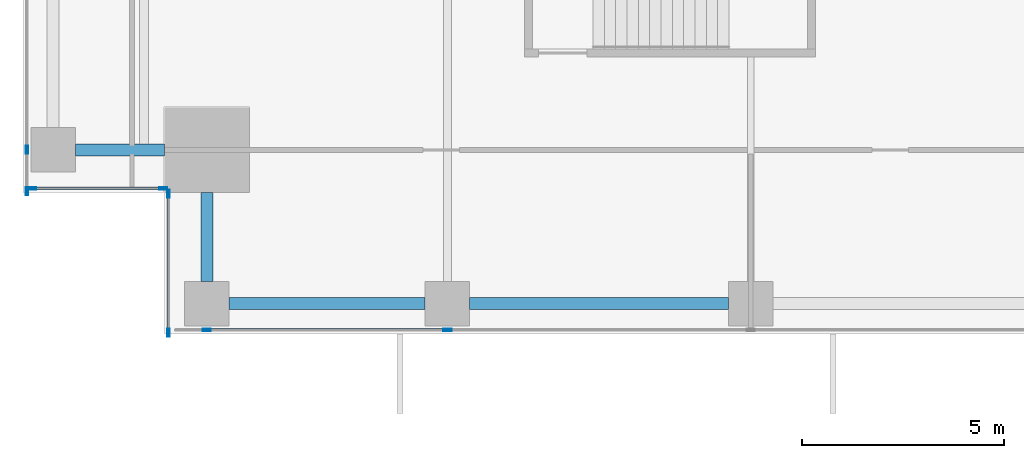
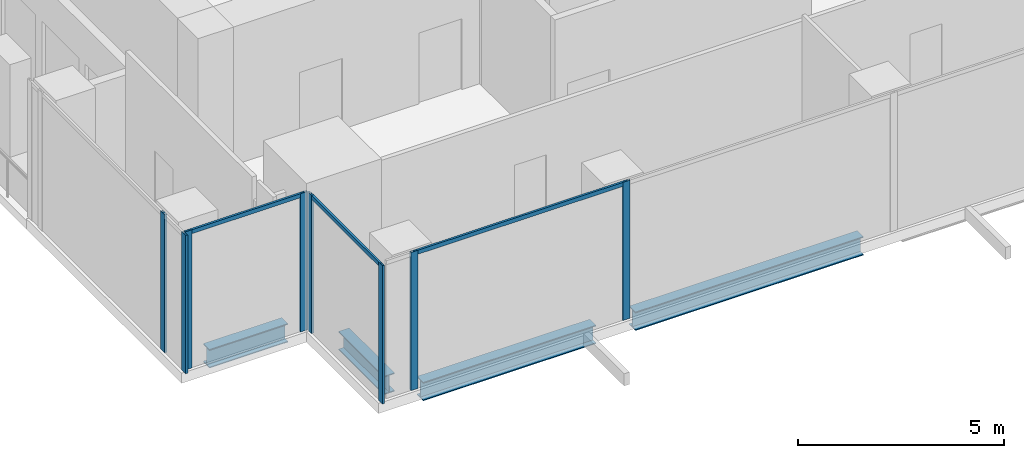
# One storey, part 2 of 34: 11 members, 4 beams, 4 elements without a shape of their own.
"""IFC4 building model written with IfcOpenShell, lengths in metres."""

import ifcopenshell
import ifcopenshell.guid

model = None  # the IFC model being written
_history = None  # IfcOwnerHistory: only IFC2X3 demands one
_inside = {}  # id of a spatial element -> (the spatial element, [elements in it])
_under = {}  # id of a project, library or spatial element -> (it, [spatial elements below it])
_declared = {}  # id of a project -> (the project, [libraries it declares])
_typed = {}  # id of a type object -> (the type object, [elements of that type])
_made_of = {}  # id of a material, layer set ... -> (it, [elements and type objects made of it])


def new_model(schema):
    """Start an empty IFC model of exactly this schema.

    Asked for "IFC4X3", IfcOpenShell would pick the latest addendum, in which some entities
    have other attributes; the version numbers below select the first issue.
    IFC2X3 requires an IfcOwnerHistory on every rooted entity: one is made here for all.
    """
    global model, _history
    if schema == "IFC4X3":
        model = ifcopenshell.file(schema_version=(4, 3, 0, 0))
    else:
        model = ifcopenshell.file(schema=schema)
    _inside.clear()
    _under.clear()
    _declared.clear()
    _typed.clear()
    _made_of.clear()
    _history = None
    if model.schema == "IFC2X3":
        org = make("IfcOrganization", Name="unknown")
        user = make(
            "IfcPersonAndOrganization",
            ThePerson=make("IfcPerson", FamilyName="unknown"),
            TheOrganization=org,
        )
        app = make(
            "IfcApplication",
            ApplicationDeveloper=org,
            Version="unknown",
            ApplicationFullName="unknown",
            ApplicationIdentifier="unknown",
        )
        _history = make(
            "IfcOwnerHistory",
            OwningUser=user,
            OwningApplication=app,
            ChangeAction="ADDED",
            CreationDate=0,
        )
    return model


def make(cls, **values):
    """One entity of the class cls with the attributes given. An attribute that is None is left unset."""
    return model.create_entity(
        cls, **{name: value for name, value in values.items() if value is not None}
    )


def rooted(cls, **values):
    """An entity with a GlobalId (a new one), such as an element, a storey or a relation."""
    return make(cls, GlobalId=ifcopenshell.guid.new(), OwnerHistory=_history, **values)


def si_unit(unit_type, name, prefix=None):
    """IfcSIUnit, for example si_unit("LENGTHUNIT", "METRE", prefix="MILLI")."""
    return make("IfcSIUnit", UnitType=unit_type, Prefix=prefix, Name=name)


def assignment(units):
    """IfcUnitAssignment: the units of a project."""
    return None if units is None else make("IfcUnitAssignment", Units=units)


def point(xyz):
    """IfcCartesianPoint."""
    return None if xyz is None else make("IfcCartesianPoint", Coordinates=xyz)


def direction(xyz):
    """IfcDirection."""
    return None if xyz is None else make("IfcDirection", DirectionRatios=xyz)


def frame(location, z_axis=None, x_axis=None):
    """IfcAxis2Placement3D, a coordinate frame: its origin and axes. An axis left out is left unset."""
    return make(
        "IfcAxis2Placement3D",
        Location=point(location),
        Axis=direction(z_axis),
        RefDirection=direction(x_axis),
    )


def frame_2d(location, x_axis=None):
    """IfcAxis2Placement2D, a coordinate frame in the plane: its origin and x axis."""
    return make(
        "IfcAxis2Placement2D", Location=point(location), RefDirection=direction(x_axis)
    )


def origin():
    """The frame at (0, 0, 0) with its axes left unset."""
    return frame((0.0, 0.0, 0.0))


def origin_2d():
    """The frame at (0, 0) in the plane with its x axis left unset."""
    return frame_2d((0.0, 0.0))


def place(relative_to, where):
    """IfcLocalPlacement: puts the frame where relative to a parent placement (None: the world)."""
    return make(
        "IfcLocalPlacement", PlacementRelTo=relative_to, RelativePlacement=where
    )


def context(
    kind, dimensions, precision=None, world=None, true_north=None, identifier=None
):
    """IfcGeometricRepresentationContext, for example the 3D "Model" context."""
    return make(
        "IfcGeometricRepresentationContext",
        ContextIdentifier=identifier,
        ContextType=kind,
        CoordinateSpaceDimension=dimensions,
        Precision=precision,
        WorldCoordinateSystem=world,
        TrueNorth=true_north,
    )


def subcontext(parent, identifier, kind, view, scale=None):
    """IfcGeometricRepresentationSubContext, for example "Body" below "Model"."""
    return make(
        "IfcGeometricRepresentationSubContext",
        ContextIdentifier=identifier,
        ContextType=kind,
        ParentContext=parent,
        TargetScale=scale,
        TargetView=view,
    )


def project(units=None, contexts=None):
    """IfcProject with its units and contexts."""
    return rooted(
        "IfcProject",
        Name="project",
        RepresentationContexts=contexts,
        UnitsInContext=assignment(units),
    )


def spatial(cls, under=None, at=None, **own):
    """A site, building, storey or space (cls), placed at a placement, below another one or the project."""
    s = rooted(cls, ObjectPlacement=at, **own)
    if under is not None:
        _under.setdefault(under.id(), (under, []))[1].append(s)
    return s


def profile(cls, at=None, kind="AREA", **sizes):
    """A parametric profile (cls). Its sizes go by their IFC names, for example OverallWidth=200.0."""
    return make(cls, ProfileType=kind, Position=at, **sizes)


def hollow_rectangle(**sizes):
    """IfcRectangleHollowProfileDef."""
    return profile("IfcRectangleHollowProfileDef", **sizes)


def i_section(**sizes):
    """IfcIShapeProfileDef."""
    return profile("IfcIShapeProfileDef", **sizes)


def extrude(swept, where, along, depth):
    """IfcExtrudedAreaSolid: the profile swept, set in the frame where, extruded along a direction by depth."""
    return make(
        "IfcExtrudedAreaSolid",
        SweptArea=swept,
        Position=where,
        ExtrudedDirection=direction(along),
        Depth=depth,
    )


def shape(context_of_items, identifier, shape_type, items):
    """IfcShapeRepresentation: the items that make up one representation, for example the "Body"."""
    return make(
        "IfcShapeRepresentation",
        ContextOfItems=context_of_items,
        RepresentationIdentifier=identifier,
        RepresentationType=shape_type,
        Items=items,
    )


def source(mapping_origin, context_of_items, identifier, shape_type, items):
    """IfcRepresentationMap: a shape defined once, which mapped items show again and again."""
    return make(
        "IfcRepresentationMap",
        MappingOrigin=mapping_origin,
        MappedRepresentation=shape(context_of_items, identifier, shape_type, items),
    )


def transform(
    local_origin,
    x_axis=None,
    y_axis=None,
    z_axis=None,
    scale=None,
    scale2=None,
    scale3=None,
    uniform=True,
):
    """IfcCartesianTransformationOperator3D, or its non-uniform kind. x_axis, y_axis, z_axis: its Axis1, 2, 3."""
    if uniform:
        return make(
            "IfcCartesianTransformationOperator3D",
            Axis1=direction(x_axis),
            Axis2=direction(y_axis),
            LocalOrigin=point(local_origin),
            Scale=scale,
            Axis3=direction(z_axis),
        )
    return make(
        "IfcCartesianTransformationOperator3DnonUniform",
        Axis1=direction(x_axis),
        Axis2=direction(y_axis),
        LocalOrigin=point(local_origin),
        Scale=scale,
        Axis3=direction(z_axis),
        Scale2=scale2,
        Scale3=scale3,
    )


def mapped(mapping_source, mapping_target):
    """IfcMappedItem: shows the shape of a source again, moved by a transform."""
    return make(
        "IfcMappedItem", MappingSource=mapping_source, MappingTarget=mapping_target
    )


def material(Name=None, Category=None):
    """IfcMaterial."""
    return make("IfcMaterial", Name=Name, Category=Category)


def material_profile(
    of_material, cross_section, Name=None, Category=None, Priority=None
):
    """IfcMaterialProfile: a cross section and its material."""
    return make(
        "IfcMaterialProfile",
        Name=Name,
        Material=of_material,
        Profile=cross_section,
        Priority=Priority,
        Category=Category,
    )


def profile_set(profiles, Name=None, composite=None):
    """IfcMaterialProfileSet."""
    return make(
        "IfcMaterialProfileSet",
        Name=Name,
        MaterialProfiles=profiles,
        CompositeProfile=composite,
    )


def made_of(thing, what):
    """Note that an element or type object is made of a material, layer set ...; save() writes the relation."""
    if what is not None:
        _made_of.setdefault(what.id(), (what, []))[1].append(thing)
    return thing


def type_object(cls, material=None, **own):
    """A type object (cls), such as IfcWallType, which elements share."""
    return made_of(rooted(cls, **own), material)


def element(
    cls,
    number,
    at=None,
    inside=None,
    cuts=None,
    type_object=None,
    material=None,
    context=None,
    identifier="Body",
    shape_type=None,
    held_by="IfcProductDefinitionShape",
    body=None,
    shapes=None,
    **own,
):
    """One element of the class cls, such as IfcWall. Its Tag is "e" and its number.

    at: its placement. inside: the storey or other place that contains it. cuts: it is an
    opening in that element (IfcRelVoidsElement). A single representation is given by context,
    identifier, shape_type and body (its items); several are given by shapes. held_by: the class
    of the entity that holds the representations. save() writes the other relations.
    """
    e = rooted(cls, Tag="e%d" % number, ObjectPlacement=at, **own)
    if body is not None:
        shapes = [shape(context, identifier, shape_type, body)]
    if shapes is not None:
        e.Representation = make(held_by, Representations=shapes)
    if inside is not None:
        _inside.setdefault(inside.id(), (inside, []))[1].append(e)
    if cuts is not None:
        rooted(
            "IfcRelVoidsElement", RelatingBuildingElement=cuts, RelatedOpeningElement=e
        )
    if type_object is not None:
        _typed.setdefault(type_object.id(), (type_object, []))[1].append(e)
    return made_of(e, material)


def aggregate(whole, parts):
    """IfcRelAggregates: a whole, such as a stair, and the parts it consists of."""
    return rooted("IfcRelAggregates", RelatingObject=whole, RelatedObjects=parts)


def save(model, path):
    """Write the relations noted so far, then the file.

    IfcRelAggregates (storeys below a building ...), IfcRelContainedInSpatialStructure (elements
    in a storey), IfcRelDefinesByType, IfcRelAssociatesMaterial and IfcRelDeclares: one each for
    every whole, place, type object, material and project.
    """
    for whole, parts in _under.values():
        aggregate(whole, parts)
    for where, things in _inside.values():
        rooted(
            "IfcRelContainedInSpatialStructure",
            RelatedElements=things,
            RelatingStructure=where,
        )
    for kind, things in _typed.values():
        rooted("IfcRelDefinesByType", RelatedObjects=things, RelatingType=kind)
    for what, things in _made_of.values():
        rooted("IfcRelAssociatesMaterial", RelatedObjects=things, RelatingMaterial=what)
    for by, libraries in _declared.values():
        rooted("IfcRelDeclares", RelatingContext=by, RelatedDefinitions=libraries)
    model.write(path)


model = new_model("IFC4")

# Units and contexts
model_context = context("Model", 3, precision=1e-05, world=origin(), true_north=direction((0.0, 1.0)))
body_context = subcontext(model_context, "Body", "Model", "MODEL_VIEW")
ifc_project = project(units=[si_unit("LENGTHUNIT", "METRE"), si_unit("AREAUNIT", "SQUARE_METRE"), si_unit("VOLUMEUNIT", "CUBIC_METRE"), si_unit("PLANEANGLEUNIT", "RADIAN"), si_unit("MASSUNIT", "GRAM", prefix="KILO")], contexts=[model_context])

# Site, building, storey
site_placement = place(None, origin())
site = spatial("IfcSite", under=ifc_project, at=site_placement, CompositionType="ELEMENT")
building_placement = place(site_placement, origin())
building = spatial("IfcBuilding", under=site, at=building_placement, Name="Khomas Fold Tower", CompositionType="ELEMENT")
storey_placement = place(building_placement, frame((0.0, 0.0, 123.5)))
storey = spatial("IfcBuildingStorey", under=building, at=storey_placement, Name="L26", CompositionType="ELEMENT", Elevation=123.5)

# Beams
ifc_material_1 = material(Name="Steel S355", Category="steel")
ifc_material_profile_1 = material_profile(ifc_material_1, i_section(OverallWidth=0.300048828125, OverallDepth=0.550048828125, WebThickness=0.014892578125, FlangeThickness=0.029052734375, at=origin_2d()), Name="HE 550 B")
ifc_profile_set_1 = profile_set([ifc_material_profile_1], Name="Steel S355")
beam_type = type_object("IfcBeamType", Name="HE 550 B spandrel SB2", PredefinedType="SPANDREL", material=ifc_profile_set_1)
shared_shape_1 = source(origin(), body_context, "Body", "SweptSolid", [
    extrude(i_section(OverallWidth=0.300048828125, OverallDepth=0.550048828125, WebThickness=0.014892578125, FlangeThickness=0.029052734375, at=origin_2d()), origin(), (0.0, 0.0, 1.0), 4.849853515625),
])
beam_1_placement = place(storey_placement, frame((6.60009765625, 2.25, -0.574951171875), z_axis=(1.0, 0.0, 0.0), x_axis=(0.0, 1.0, 0.0)))
element("IfcBeam", 1, at=beam_1_placement, inside=storey, type_object=beam_type, Name="SB2", PredefinedType="SPANDREL", context=body_context, shape_type="MappedRepresentation", body=[
    mapped(shared_shape_1, transform((0.0, 0.0, 0.0))),
])
shared_shape_2 = source(origin(), body_context, "Body", "SweptSolid", [
    extrude(i_section(OverallWidth=0.300048828125, OverallDepth=0.550048828125, WebThickness=0.014892578125, FlangeThickness=0.029052734375, at=origin_2d()), origin(), (0.0, 0.0, 1.0), 6.39990234375),
])
beam_2_placement = place(storey_placement, frame((12.550048828125, 2.25, -0.574951171875), z_axis=(1.0, 0.0, 0.0), x_axis=(0.0, 1.0, 0.0)))
element("IfcBeam", 2, at=beam_2_placement, inside=storey, type_object=beam_type, Name="SB2", PredefinedType="SPANDREL", context=body_context, shape_type="MappedRepresentation", body=[
    mapped(shared_shape_2, transform((0.0, 0.0, 0.0))),
])
shared_shape_3 = source(origin(), body_context, "Body", "SweptSolid", [
    extrude(i_section(OverallWidth=0.300048828125, OverallDepth=0.550048828125, WebThickness=0.014892578125, FlangeThickness=0.029052734375, at=origin_2d()), origin(), (0.0, 0.0, 1.0), 2.199951171875),
])
for number, where, z_axis, x_axis, name in (
    (3, (2.800048828125, 6.050048828125, -0.574951171875), (1.0, 0.0, 0.0), (0.0, 1.0, 0.0), "SB2"),
    (4, (6.050048828125, 2.800048828125, -0.574951171875), (0.0, 1.0, 0.0), (-1.0, 0.0, 0.0), "SB2"),
):
    element("IfcBeam", number, at=place(storey_placement, frame(where, z_axis=z_axis, x_axis=x_axis)), inside=storey, type_object=beam_type, Name=name, PredefinedType="SPANDREL", context=body_context, shape_type="MappedRepresentation", body=[
        mapped(shared_shape_3, transform((0.0, 0.0, 0.0))),
    ])

# Curtain wall, members
ifc_material_2 = material(Name="Aluminium framed double glazing", Category="aluminium")
curtain_wall_type = type_object("IfcCurtainWallType", Name="SK-Unitised clear-glass wall, growing floors CW1", PredefinedType="NOTDEFINED", material=ifc_material_2)
curtain_wall_1_placement = place(storey_placement, origin())
curtain_wall_1 = element("IfcCurtainWall", 5, at=curtain_wall_1_placement, inside=storey, type_object=curtain_wall_type, Name="CW1 run L26 00-0", PredefinedType="NOTDEFINED")
ifc_material_3 = material(Name="Aluminium", Category="aluminium")
ifc_material_profile_2 = material_profile(ifc_material_3, hollow_rectangle(XDim=0.06005859375, YDim=0.199951171875, WallThickness=0.00390625, at=origin_2d()), Name="SK-Unitised clear-glass wall, growing floors mullion CW1-M")
ifc_profile_set_2 = profile_set([ifc_material_profile_2], Name="Aluminium")
member_type_1 = type_object("IfcMemberType", Name="SK-Unitised clear-glass wall, growing floors mullion CW1-M", PredefinedType="MULLION", material=ifc_profile_set_2)
shared_shape_4 = source(origin(), body_context, "Body", "SweptSolid", [
    extrude(hollow_rectangle(XDim=0.06005859375, YDim=0.199951171875, WallThickness=0.00390625, at=origin_2d()), origin(), (0.0, 0.0, 1.0), 4.10009765625),
])
member_1_placement = place(storey_placement, frame((6.050048828125, 1.60009765625, 0.0), z_axis=(0.0, 0.0, 1.0), x_axis=(0.0, 1.0, 0.0)))
member_1 = element("IfcMember", 6, at=member_1_placement, type_object=member_type_1, Name="CW1 mullion 2", PredefinedType="MULLION", context=body_context, shape_type="MappedRepresentation", body=[
    mapped(shared_shape_4, transform((0.0, 0.0, 0.0))),
])
member_2_placement = place(storey_placement, frame((12.0, 1.60009765625, 0.0), z_axis=(0.0, 0.0, 1.0), x_axis=(0.0, 1.0, 0.0)))
member_2 = element("IfcMember", 7, at=member_2_placement, type_object=member_type_1, Name="CW1 mullion 3", PredefinedType="MULLION", context=body_context, shape_type="MappedRepresentation", body=[
    mapped(shared_shape_4, transform((0.0, 0.0, 0.0))),
])

curtain_wall_2_placement = place(storey_placement, origin())
curtain_wall_2 = element("IfcCurtainWall", 8, at=curtain_wall_2_placement, inside=storey, type_object=curtain_wall_type, Name="CW1 run L26 09-1", PredefinedType="NOTDEFINED")
member_3_placement = place(storey_placement, frame((1.60009765625, 6.050048828125, 0.0), z_axis=(0.0, 0.0, 1.0), x_axis=(1.0, 0.0, 0.0)))
member_3 = element("IfcMember", 9, at=member_3_placement, type_object=member_type_1, Name="CW1 mullion 3", PredefinedType="MULLION", context=body_context, shape_type="MappedRepresentation", body=[
    mapped(shared_shape_4, transform((0.0, 0.0, 0.0))),
])
member_4_placement = place(storey_placement, frame((1.60009765625, 5.030029296875, 0.0), z_axis=(0.0, 0.0, 1.0), x_axis=(1.0, 0.0, 0.0)))
member_4 = element("IfcMember", 10, at=member_4_placement, type_object=member_type_1, Name="CW1 mullion 4", PredefinedType="MULLION", context=body_context, shape_type="MappedRepresentation", body=[
    mapped(shared_shape_4, transform((0.0, 0.0, 0.0))),
])
aggregate(curtain_wall_2, [member_3, member_4])

curtain_wall_3_placement = place(storey_placement, origin())
curtain_wall_3 = element("IfcCurtainWall", 11, at=curtain_wall_3_placement, inside=storey, type_object=curtain_wall_type, Name="CW1 corner return L26 10", PredefinedType="NOTDEFINED")
member_5_placement = place(storey_placement, frame((1.72998046875, 5.10009765625, 0.0), z_axis=(0.0, 0.0, 1.0), x_axis=(0.0, 1.0, 0.0)))
member_5 = element("IfcMember", 12, at=member_5_placement, type_object=member_type_1, Name="CW1 mullion 1", PredefinedType="MULLION", context=body_context, shape_type="MappedRepresentation", body=[
    mapped(shared_shape_4, transform((0.0, 0.0, 0.0))),
])
member_6_placement = place(storey_placement, frame((4.969970703125, 5.10009765625, 0.0), z_axis=(0.0, 0.0, 1.0), x_axis=(0.0, 1.0, 0.0)))
member_6 = element("IfcMember", 13, at=member_6_placement, type_object=member_type_1, Name="CW1 mullion 2", PredefinedType="MULLION", context=body_context, shape_type="MappedRepresentation", body=[
    mapped(shared_shape_4, transform((0.0, 0.0, 0.0))),
])

curtain_wall_4_placement = place(storey_placement, origin())
curtain_wall_4 = element("IfcCurtainWall", 14, at=curtain_wall_4_placement, inside=storey, type_object=curtain_wall_type, Name="CW1 corner return L26 11", PredefinedType="NOTDEFINED")
member_7_placement = place(storey_placement, frame((5.10009765625, 4.969970703125, 0.0), z_axis=(0.0, 0.0, 1.0), x_axis=(1.0, 0.0, 0.0)))
member_7 = element("IfcMember", 15, at=member_7_placement, type_object=member_type_1, Name="CW1 mullion 1", PredefinedType="MULLION", context=body_context, shape_type="MappedRepresentation", body=[
    mapped(shared_shape_4, transform((0.0, 0.0, 0.0))),
])
member_8_placement = place(storey_placement, frame((5.10009765625, 1.530029296875, 0.0), z_axis=(0.0, 0.0, 1.0), x_axis=(1.0, 0.0, 0.0)))
member_8 = element("IfcMember", 16, at=member_8_placement, type_object=member_type_1, Name="CW1 mullion 2", PredefinedType="MULLION", context=body_context, shape_type="MappedRepresentation", body=[
    mapped(shared_shape_4, transform((0.0, 0.0, 0.0))),
])

# Member
ifc_material_4 = material(Name="Aluminium", Category="aluminium")
ifc_material_profile_3 = material_profile(ifc_material_4, hollow_rectangle(XDim=0.06005859375, YDim=0.1201171875, WallThickness=0.00390625, at=origin_2d()), Name="SK-Unitised clear-glass wall, growing floors transom CW1-T")
ifc_profile_set_3 = profile_set([ifc_material_profile_3], Name="Aluminium")
member_type_2 = type_object("IfcMemberType", Name="SK-Unitised clear-glass wall, growing floors transom CW1-T", PredefinedType="USERDEFINED", material=ifc_profile_set_3)
shared_shape_5 = source(origin(), body_context, "Body", "SweptSolid", [
    extrude(hollow_rectangle(XDim=0.06005859375, YDim=0.1201171875, WallThickness=0.00390625, at=origin_2d()), origin(), (0.0, 0.0, 1.0), 5.889892578125),
])
member_9_placement = place(storey_placement, frame((6.080078125, 1.60009765625, 4.0400390625), z_axis=(1.0, 0.0, 0.0), x_axis=(0.0, 1.0, 0.0)))
member_9 = element("IfcMember", 17, at=member_9_placement, type_object=member_type_2, Name="CW1 transom 2", ObjectType="TRANSOM", PredefinedType="USERDEFINED", context=body_context, shape_type="MappedRepresentation", body=[
    mapped(shared_shape_5, transform((0.0, 0.0, 0.0))),
])

aggregate(curtain_wall_1, [member_1, member_2, member_9])

shared_shape_6 = source(origin(), body_context, "Body", "SweptSolid", [
    extrude(hollow_rectangle(XDim=0.06005859375, YDim=0.1201171875, WallThickness=0.00390625, at=origin_2d()), origin(), (0.0, 0.0, 1.0), 3.179931640625),
])
member_10_placement = place(storey_placement, frame((1.760009765625, 5.10009765625, 4.0400390625), z_axis=(1.0, 0.0, 0.0), x_axis=(0.0, 1.0, 0.0)))
member_10 = element("IfcMember", 18, at=member_10_placement, type_object=member_type_2, Name="CW1 transom 1", ObjectType="TRANSOM", PredefinedType="USERDEFINED", context=body_context, shape_type="MappedRepresentation", body=[
    mapped(shared_shape_6, transform((0.0, 0.0, 0.0))),
])

aggregate(curtain_wall_3, [member_5, member_6, member_10])

shared_shape_7 = source(origin(), body_context, "Body", "SweptSolid", [
    extrude(hollow_rectangle(XDim=0.06005859375, YDim=0.1201171875, WallThickness=0.00390625, at=origin_2d()), origin(), (0.0, 0.0, 1.0), 3.3798828125),
])
member_11_placement = place(storey_placement, frame((5.10009765625, 4.93994140625, 4.0400390625), z_axis=(0.0, -1.0, 0.0), x_axis=(1.0, 0.0, 0.0)))
member_11 = element("IfcMember", 19, at=member_11_placement, type_object=member_type_2, Name="CW1 transom 1", ObjectType="TRANSOM", PredefinedType="USERDEFINED", context=body_context, shape_type="MappedRepresentation", body=[
    mapped(shared_shape_7, transform((0.0, 0.0, 0.0))),
])

aggregate(curtain_wall_4, [member_7, member_8, member_11])

save(model, "model.ifc")
